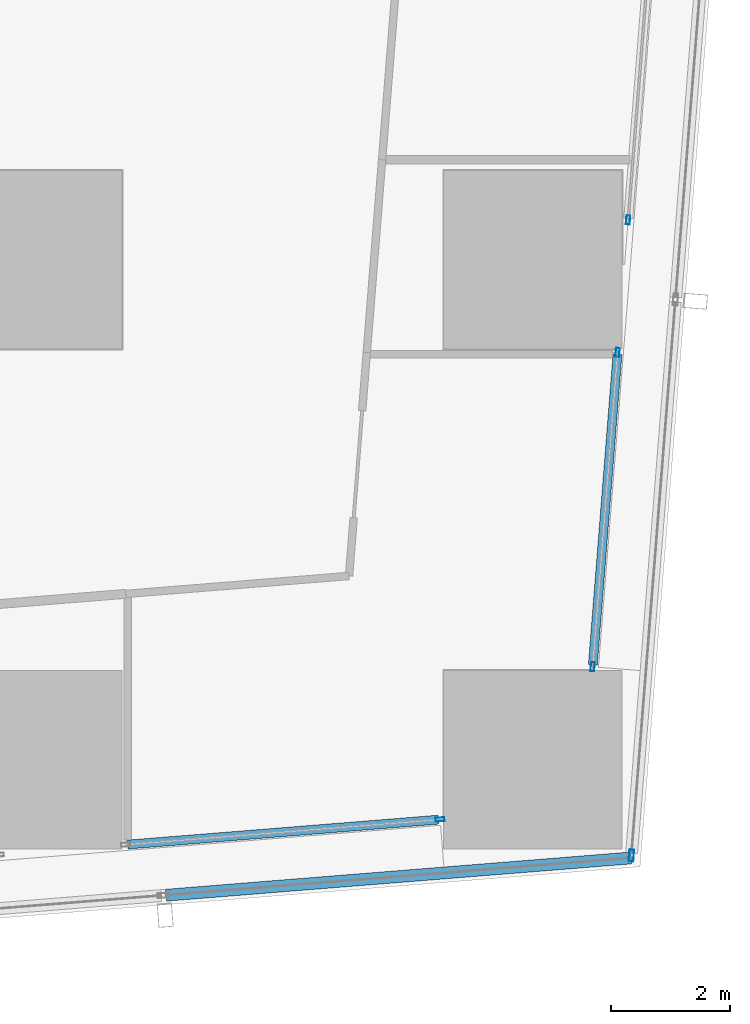
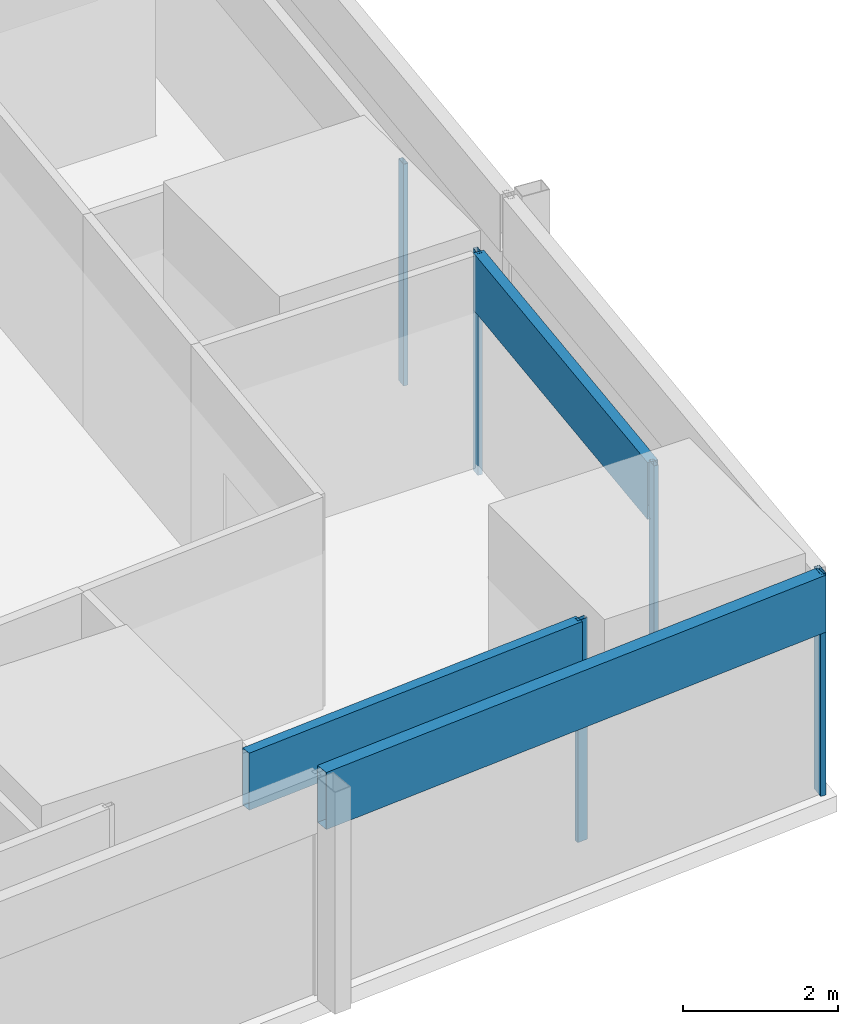
# One storey, part 12 of 45: 8 members, 5 elements without a shape of their own.
"""IFC4 building model written with IfcOpenShell, lengths in metres."""

import ifcopenshell
import ifcopenshell.guid

model = None  # the IFC model being written
_history = None  # IfcOwnerHistory: only IFC2X3 demands one
_inside = {}  # id of a spatial element -> (the spatial element, [elements in it])
_under = {}  # id of a project, library or spatial element -> (it, [spatial elements below it])
_declared = {}  # id of a project -> (the project, [libraries it declares])
_typed = {}  # id of a type object -> (the type object, [elements of that type])
_made_of = {}  # id of a material, layer set ... -> (it, [elements and type objects made of it])


def new_model(schema):
    """Start an empty IFC model of exactly this schema.

    Asked for "IFC4X3", IfcOpenShell would pick the latest addendum, in which some entities
    have other attributes; the version numbers below select the first issue.
    IFC2X3 requires an IfcOwnerHistory on every rooted entity: one is made here for all.
    """
    global model, _history
    if schema == "IFC4X3":
        model = ifcopenshell.file(schema_version=(4, 3, 0, 0))
    else:
        model = ifcopenshell.file(schema=schema)
    _inside.clear()
    _under.clear()
    _declared.clear()
    _typed.clear()
    _made_of.clear()
    _history = None
    if model.schema == "IFC2X3":
        org = make("IfcOrganization", Name="unknown")
        user = make(
            "IfcPersonAndOrganization",
            ThePerson=make("IfcPerson", FamilyName="unknown"),
            TheOrganization=org,
        )
        app = make(
            "IfcApplication",
            ApplicationDeveloper=org,
            Version="unknown",
            ApplicationFullName="unknown",
            ApplicationIdentifier="unknown",
        )
        _history = make(
            "IfcOwnerHistory",
            OwningUser=user,
            OwningApplication=app,
            ChangeAction="ADDED",
            CreationDate=0,
        )
    return model


def make(cls, **values):
    """One entity of the class cls with the attributes given. An attribute that is None is left unset."""
    return model.create_entity(
        cls, **{name: value for name, value in values.items() if value is not None}
    )


def rooted(cls, **values):
    """An entity with a GlobalId (a new one), such as an element, a storey or a relation."""
    return make(cls, GlobalId=ifcopenshell.guid.new(), OwnerHistory=_history, **values)


def si_unit(unit_type, name, prefix=None):
    """IfcSIUnit, for example si_unit("LENGTHUNIT", "METRE", prefix="MILLI")."""
    return make("IfcSIUnit", UnitType=unit_type, Prefix=prefix, Name=name)


def assignment(units):
    """IfcUnitAssignment: the units of a project."""
    return None if units is None else make("IfcUnitAssignment", Units=units)


def point(xyz):
    """IfcCartesianPoint."""
    return None if xyz is None else make("IfcCartesianPoint", Coordinates=xyz)


def direction(xyz):
    """IfcDirection."""
    return None if xyz is None else make("IfcDirection", DirectionRatios=xyz)


def frame(location, z_axis=None, x_axis=None):
    """IfcAxis2Placement3D, a coordinate frame: its origin and axes. An axis left out is left unset."""
    return make(
        "IfcAxis2Placement3D",
        Location=point(location),
        Axis=direction(z_axis),
        RefDirection=direction(x_axis),
    )


def frame_2d(location, x_axis=None):
    """IfcAxis2Placement2D, a coordinate frame in the plane: its origin and x axis."""
    return make(
        "IfcAxis2Placement2D", Location=point(location), RefDirection=direction(x_axis)
    )


def origin():
    """The frame at (0, 0, 0) with its axes left unset."""
    return frame((0.0, 0.0, 0.0))


def origin_2d():
    """The frame at (0, 0) in the plane with its x axis left unset."""
    return frame_2d((0.0, 0.0))


def place(relative_to, where):
    """IfcLocalPlacement: puts the frame where relative to a parent placement (None: the world)."""
    return make(
        "IfcLocalPlacement", PlacementRelTo=relative_to, RelativePlacement=where
    )


def context(
    kind, dimensions, precision=None, world=None, true_north=None, identifier=None
):
    """IfcGeometricRepresentationContext, for example the 3D "Model" context."""
    return make(
        "IfcGeometricRepresentationContext",
        ContextIdentifier=identifier,
        ContextType=kind,
        CoordinateSpaceDimension=dimensions,
        Precision=precision,
        WorldCoordinateSystem=world,
        TrueNorth=true_north,
    )


def subcontext(parent, identifier, kind, view, scale=None):
    """IfcGeometricRepresentationSubContext, for example "Body" below "Model"."""
    return make(
        "IfcGeometricRepresentationSubContext",
        ContextIdentifier=identifier,
        ContextType=kind,
        ParentContext=parent,
        TargetScale=scale,
        TargetView=view,
    )


def project(units=None, contexts=None):
    """IfcProject with its units and contexts."""
    return rooted(
        "IfcProject",
        Name="project",
        RepresentationContexts=contexts,
        UnitsInContext=assignment(units),
    )


def spatial(cls, under=None, at=None, **own):
    """A site, building, storey or space (cls), placed at a placement, below another one or the project."""
    s = rooted(cls, ObjectPlacement=at, **own)
    if under is not None:
        _under.setdefault(under.id(), (under, []))[1].append(s)
    return s


def profile(cls, at=None, kind="AREA", **sizes):
    """A parametric profile (cls). Its sizes go by their IFC names, for example OverallWidth=200.0."""
    return make(cls, ProfileType=kind, Position=at, **sizes)


def hollow_rectangle(**sizes):
    """IfcRectangleHollowProfileDef."""
    return profile("IfcRectangleHollowProfileDef", **sizes)


def extrude(swept, where, along, depth):
    """IfcExtrudedAreaSolid: the profile swept, set in the frame where, extruded along a direction by depth."""
    return make(
        "IfcExtrudedAreaSolid",
        SweptArea=swept,
        Position=where,
        ExtrudedDirection=direction(along),
        Depth=depth,
    )


def shape(context_of_items, identifier, shape_type, items):
    """IfcShapeRepresentation: the items that make up one representation, for example the "Body"."""
    return make(
        "IfcShapeRepresentation",
        ContextOfItems=context_of_items,
        RepresentationIdentifier=identifier,
        RepresentationType=shape_type,
        Items=items,
    )


def material(Name=None, Category=None):
    """IfcMaterial."""
    return make("IfcMaterial", Name=Name, Category=Category)


def material_profile(
    of_material, cross_section, Name=None, Category=None, Priority=None
):
    """IfcMaterialProfile: a cross section and its material."""
    return make(
        "IfcMaterialProfile",
        Name=Name,
        Material=of_material,
        Profile=cross_section,
        Priority=Priority,
        Category=Category,
    )


def profile_set(profiles, Name=None, composite=None):
    """IfcMaterialProfileSet."""
    return make(
        "IfcMaterialProfileSet",
        Name=Name,
        MaterialProfiles=profiles,
        CompositeProfile=composite,
    )


def made_of(thing, what):
    """Note that an element or type object is made of a material, layer set ...; save() writes the relation."""
    if what is not None:
        _made_of.setdefault(what.id(), (what, []))[1].append(thing)
    return thing


def type_object(cls, material=None, **own):
    """A type object (cls), such as IfcWallType, which elements share."""
    return made_of(rooted(cls, **own), material)


def element(
    cls,
    number,
    at=None,
    inside=None,
    cuts=None,
    type_object=None,
    material=None,
    context=None,
    identifier="Body",
    shape_type=None,
    held_by="IfcProductDefinitionShape",
    body=None,
    shapes=None,
    **own,
):
    """One element of the class cls, such as IfcWall. Its Tag is "e" and its number.

    at: its placement. inside: the storey or other place that contains it. cuts: it is an
    opening in that element (IfcRelVoidsElement). A single representation is given by context,
    identifier, shape_type and body (its items); several are given by shapes. held_by: the class
    of the entity that holds the representations. save() writes the other relations.
    """
    e = rooted(cls, Tag="e%d" % number, ObjectPlacement=at, **own)
    if body is not None:
        shapes = [shape(context, identifier, shape_type, body)]
    if shapes is not None:
        e.Representation = make(held_by, Representations=shapes)
    if inside is not None:
        _inside.setdefault(inside.id(), (inside, []))[1].append(e)
    if cuts is not None:
        rooted(
            "IfcRelVoidsElement", RelatingBuildingElement=cuts, RelatedOpeningElement=e
        )
    if type_object is not None:
        _typed.setdefault(type_object.id(), (type_object, []))[1].append(e)
    return made_of(e, material)


def aggregate(whole, parts):
    """IfcRelAggregates: a whole, such as a stair, and the parts it consists of."""
    return rooted("IfcRelAggregates", RelatingObject=whole, RelatedObjects=parts)


def save(model, path):
    """Write the relations noted so far, then the file.

    IfcRelAggregates (storeys below a building ...), IfcRelContainedInSpatialStructure (elements
    in a storey), IfcRelDefinesByType, IfcRelAssociatesMaterial and IfcRelDeclares: one each for
    every whole, place, type object, material and project.
    """
    for whole, parts in _under.values():
        aggregate(whole, parts)
    for where, things in _inside.values():
        rooted(
            "IfcRelContainedInSpatialStructure",
            RelatedElements=things,
            RelatingStructure=where,
        )
    for kind, things in _typed.values():
        rooted("IfcRelDefinesByType", RelatedObjects=things, RelatingType=kind)
    for what, things in _made_of.values():
        rooted("IfcRelAssociatesMaterial", RelatedObjects=things, RelatingMaterial=what)
    for by, libraries in _declared.values():
        rooted("IfcRelDeclares", RelatingContext=by, RelatedDefinitions=libraries)
    model.write(path)


model = new_model("IFC4")

# Units and contexts
model_context = context("Model", 3, precision=1e-05, world=origin(), true_north=direction((0.0, 1.0)))
body_context = subcontext(model_context, "Body", "Model", "MODEL_VIEW")
ifc_project = project(units=[si_unit("LENGTHUNIT", "METRE"), si_unit("AREAUNIT", "SQUARE_METRE"), si_unit("VOLUMEUNIT", "CUBIC_METRE"), si_unit("PLANEANGLEUNIT", "RADIAN"), si_unit("MASSUNIT", "GRAM", prefix="KILO")], contexts=[model_context])

# Site, building, storey
site_placement = place(None, origin())
site = spatial("IfcSite", under=ifc_project, at=site_placement, CompositionType="ELEMENT")
building_placement = place(site_placement, origin())
building = spatial("IfcBuilding", under=site, at=building_placement, Name="Rekha Terrace Tower", CompositionType="ELEMENT")
storey_placement = place(building_placement, frame((0.0, 0.0, 77.89990234375)))
storey = spatial("IfcBuildingStorey", under=building, at=storey_placement, Name="L19", CompositionType="ELEMENT", Elevation=77.89990234375)

# Curtain wall, member
ifc_material_1 = material(Name="Aluminium framing", Category="aluminium")
curtain_wall_type_1 = type_object("IfcCurtainWallType", Name="CW1 double skin inner glazing", PredefinedType="USERDEFINED", material=ifc_material_1)
curtain_wall_1_placement = place(storey_placement, origin())
curtain_wall_1 = element("IfcCurtainWall", 1, at=curtain_wall_1_placement, inside=storey, type_object=curtain_wall_type_1, Name="CW1 double skin inner glazing", ObjectType="DOUBLE SKIN INNER GLAZING", PredefinedType="USERDEFINED")
ifc_material_2 = material(Name="Aluminium mullion section", Category="aluminium")
ifc_material_profile_1 = material_profile(ifc_material_2, hollow_rectangle(XDim=0.06494140625, YDim=0.14990234375, WallThickness=0.00390625, at=origin_2d()), Name="AL RHS 65x150")
ifc_profile_set_1 = profile_set([ifc_material_profile_1], Name="Aluminium mullion section")
member_type_1 = type_object("IfcMemberType", Name="CW1 mullion RHS 65 x 150", PredefinedType="MULLION", material=ifc_profile_set_1)
member_1_placement = place(storey_placement, frame((65.64013671875, 7.394287109375, 0.0), z_axis=(0.0, 0.0, 1.0), x_axis=(-0.079872204416, 0.996805111826, 0.0)))
member_1 = element("IfcMember", 2, at=member_1_placement, type_object=member_type_1, Name="CW1 mullion 2", PredefinedType="MULLION", context=body_context, shape_type="SweptSolid", body=[
    extrude(hollow_rectangle(XDim=0.06494140625, YDim=0.14990234375, WallThickness=0.00390625, at=origin_2d()), origin(), (0.0, 0.0, 1.0), 3.5),
])

# Curtain wall, members
curtain_wall_2_placement = place(storey_placement, origin())
curtain_wall_2 = element("IfcCurtainWall", 3, at=curtain_wall_2_placement, inside=storey, type_object=curtain_wall_type_1, Name="CW1 double skin inner glazing", ObjectType="DOUBLE SKIN INNER GLAZING", PredefinedType="USERDEFINED")
member_2_placement = place(storey_placement, frame((68.203369140625, 9.9599609375, 0.0), z_axis=(0.0, 0.0, 1.0), x_axis=(-0.996865392576, 0.079116301, 0.0)))
member_2 = element("IfcMember", 4, at=member_2_placement, type_object=member_type_1, Name="CW1 mullion 1", PredefinedType="MULLION", context=body_context, shape_type="SweptSolid", body=[
    extrude(hollow_rectangle(XDim=0.06494140625, YDim=0.14990234375, WallThickness=0.00390625, at=origin_2d()), origin(), (0.0, 0.0, 1.0), 3.5),
])
member_3_placement = place(storey_placement, frame((68.622314453125, 15.240234375, 0.0), z_axis=(0.0, 0.0, 1.0), x_axis=(-0.996865392576, 0.079116301, 0.0)))
member_3 = element("IfcMember", 5, at=member_3_placement, type_object=member_type_1, Name="CW1 mullion 2", PredefinedType="MULLION", context=body_context, shape_type="SweptSolid", body=[
    extrude(hollow_rectangle(XDim=0.06494140625, YDim=0.14990234375, WallThickness=0.00390625, at=origin_2d()), origin(), (0.0, 0.0, 1.0), 3.5),
])

# Curtain wall, member
curtain_wall_3_placement = place(storey_placement, origin())
curtain_wall_3 = element("IfcCurtainWall", 6, at=curtain_wall_3_placement, inside=storey, type_object=curtain_wall_type_1, Name="CW1 double skin inner glazing", ObjectType="DOUBLE SKIN INNER GLAZING", PredefinedType="USERDEFINED")
member_4_placement = place(storey_placement, frame((68.798828125, 17.463623046875, 0.0), z_axis=(0.0, 0.0, 1.0), x_axis=(-0.996865392573, 0.079116301035, 0.0)))
member_4 = element("IfcMember", 7, at=member_4_placement, type_object=member_type_1, Name="CW1 mullion 1", PredefinedType="MULLION", context=body_context, shape_type="SweptSolid", body=[
    extrude(hollow_rectangle(XDim=0.06494140625, YDim=0.14990234375, WallThickness=0.00390625, at=origin_2d()), origin(), (0.0, 0.0, 1.0), 3.5),
])
aggregate(curtain_wall_3, [member_4])

# Member
ifc_material_3 = material(Name="Insulated aluminium spandrel box", Category="aluminium")
ifc_material_profile_2 = material_profile(ifc_material_3, hollow_rectangle(XDim=0.14990234375, YDim=0.89990234375, WallThickness=0.0029296875, at=origin_2d()), Name="AL SPANDREL BOX 150x900")
ifc_profile_set_2 = profile_set([ifc_material_profile_2], Name="Insulated aluminium spandrel box")
member_type_2 = type_object("IfcMemberType", Name="CW1 spandrel transom 150 x 900", PredefinedType="USERDEFINED", material=ifc_profile_set_2)
member_5_placement = place(storey_placement, frame((60.392333984375, 6.9736328125, 3.050048828125), z_axis=(0.996803992422, 0.079886173346, 0.0), x_axis=(-0.079886173346, 0.996803992422, 0.0)))
member_5 = element("IfcMember", 8, at=member_5_placement, type_object=member_type_2, Name="CW1 spandrel transom 1", ObjectType="TRANSOM", PredefinedType="USERDEFINED", context=body_context, shape_type="SweptSolid", body=[
    extrude(hollow_rectangle(XDim=0.14990234375, YDim=0.89990234375, WallThickness=0.0029296875, at=origin_2d()), origin(), (0.0, 0.0, 1.0), 5.23193359375),
])

aggregate(curtain_wall_1, [member_1, member_5])

member_6_placement = place(storey_placement, frame((68.205810546875, 9.9921875, 3.050048828125), z_axis=(0.079140590547, 0.996863464537, 0.0), x_axis=(-0.996863464537, 0.079140590547, 0.0)))
member_6 = element("IfcMember", 9, at=member_6_placement, type_object=member_type_2, Name="CW1 spandrel transom 1", ObjectType="TRANSOM", PredefinedType="USERDEFINED", context=body_context, shape_type="SweptSolid", body=[
    extrude(hollow_rectangle(XDim=0.14990234375, YDim=0.89990234375, WallThickness=0.0029296875, at=origin_2d()), origin(), (0.0, 0.0, 1.0), 5.23193359375),
])

aggregate(curtain_wall_2, [member_2, member_3, member_6])

# Curtain wall, member
curtain_wall_type_2 = type_object("IfcCurtainWallType", Name="CW2 double skin outer glazing", PredefinedType="USERDEFINED", material=ifc_material_1)
curtain_wall_4_placement = place(storey_placement, origin())
curtain_wall_4 = element("IfcCurtainWall", 10, at=curtain_wall_4_placement, inside=storey, type_object=curtain_wall_type_2, Name="CW2 double skin outer glazing", ObjectType="DOUBLE SKIN OUTER GLAZING", PredefinedType="USERDEFINED")
ifc_material_profile_3 = material_profile(ifc_material_2, hollow_rectangle(XDim=0.080078125, YDim=0.199951171875, WallThickness=0.00390625, at=origin_2d()), Name="AL RHS 80x200")
ifc_profile_set_3 = profile_set([ifc_material_profile_3], Name="Aluminium mullion section")
member_type_3 = type_object("IfcMemberType", Name="CW2 mullion RHS 80 x 200", PredefinedType="MULLION", material=ifc_profile_set_3)
member_7_placement = place(storey_placement, frame((68.8544921875, 6.78857421875, 0.0), z_axis=(0.0, 0.0, 1.0), x_axis=(-0.996865392575, 0.079116301017, 0.0)))
member_7 = element("IfcMember", 11, at=member_7_placement, type_object=member_type_3, Name="CW2 mullion 1", PredefinedType="MULLION", context=body_context, shape_type="SweptSolid", body=[
    extrude(hollow_rectangle(XDim=0.080078125, YDim=0.199951171875, WallThickness=0.00390625, at=origin_2d()), origin(), (0.0, 0.0, 1.0), 3.5),
])
aggregate(curtain_wall_4, [member_7])

curtain_wall_5_placement = place(storey_placement, origin())
curtain_wall_5 = element("IfcCurtainWall", 12, at=curtain_wall_5_placement, inside=storey, type_object=curtain_wall_type_2, Name="CW2 double skin outer glazing", ObjectType="DOUBLE SKIN OUTER GLAZING", PredefinedType="USERDEFINED")
ifc_material_profile_4 = material_profile(ifc_material_3, hollow_rectangle(XDim=0.199951171875, YDim=0.89990234375, WallThickness=0.0029296875, at=origin_2d()), Name="AL SPANDREL BOX 200x900")
ifc_profile_set_4 = profile_set([ifc_material_profile_4], Name="Insulated aluminium spandrel box")
member_type_4 = type_object("IfcMemberType", Name="CW2 spandrel transom 200 x 900", PredefinedType="USERDEFINED", material=ifc_profile_set_4)
member_8_placement = place(storey_placement, frame((61.035888671875, 6.122314453125, 3.050048828125), z_axis=(0.996805270739, 0.07987022115, 0.0), x_axis=(-0.07987022115, 0.996805270739, 0.0)))
member_8 = element("IfcMember", 13, at=member_8_placement, type_object=member_type_4, Name="CW2 spandrel transom 3", ObjectType="TRANSOM", PredefinedType="USERDEFINED", context=body_context, shape_type="SweptSolid", body=[
    extrude(hollow_rectangle(XDim=0.199951171875, YDim=0.89990234375, WallThickness=0.0029296875, at=origin_2d()), origin(), (0.0, 0.0, 1.0), 7.840576171875),
])
aggregate(curtain_wall_5, [member_8])

save(model, "model.ifc")
